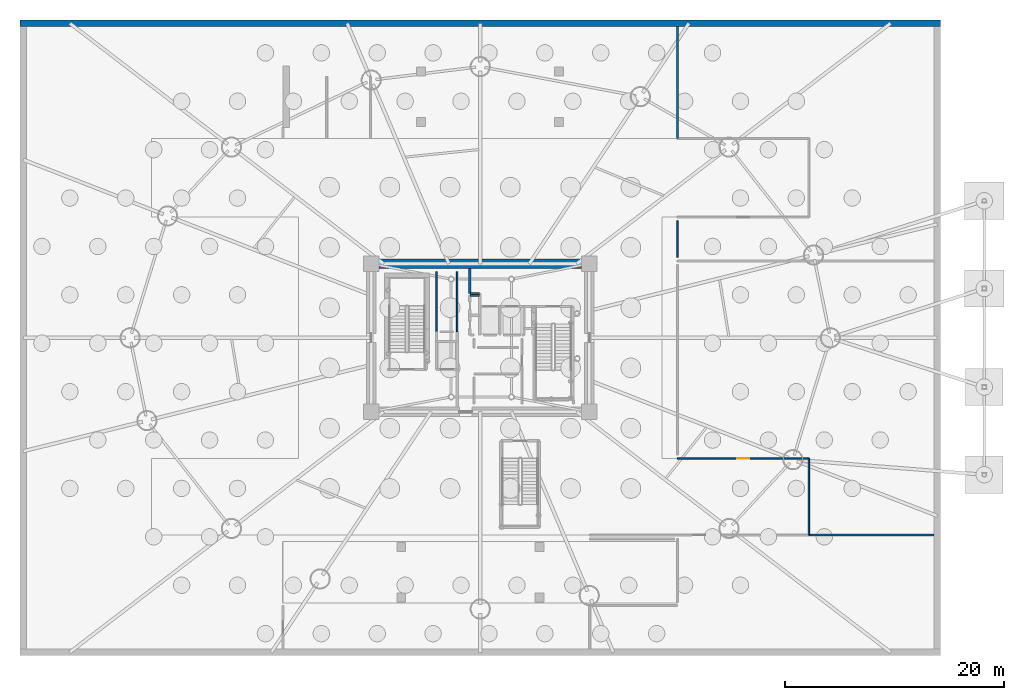
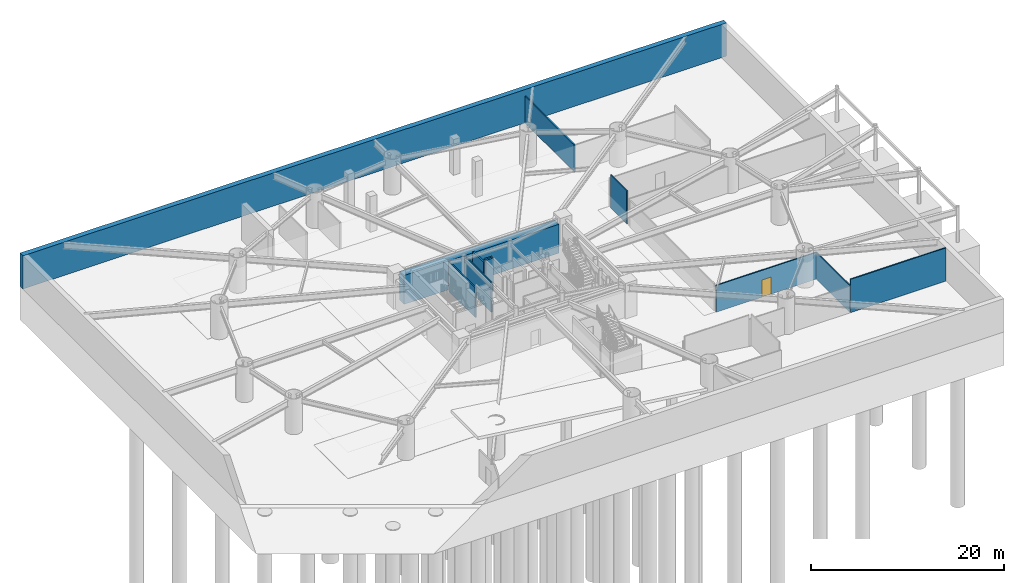
# One storey, part 11 of 18: 12 walls, 1 door, 1 opening.
"""IFC4 building model written with IfcOpenShell, lengths in metres."""

from ifc_helpers import new_model, si_unit, direction, frame, frame_2d, origin, origin_2d, place, context, subcontext, project, spatial, rectangle, extrude, source, transform, mapped, material, layer, layer_set, type_object, element, fill, save


model = new_model("IFC4")

# Units and contexts
model_context = context("Model", 3, precision=1e-05, world=origin(), true_north=direction((0.0, 1.0)))
body_context = subcontext(model_context, "Body", "Model", "MODEL_VIEW")
ifc_project = project(units=[si_unit("LENGTHUNIT", "METRE"), si_unit("AREAUNIT", "SQUARE_METRE"), si_unit("VOLUMEUNIT", "CUBIC_METRE"), si_unit("PLANEANGLEUNIT", "RADIAN"), si_unit("MASSUNIT", "GRAM", prefix="KILO")], contexts=[model_context])

# Site, building, storey
site_placement = place(None, origin())
site = spatial("IfcSite", under=ifc_project, at=site_placement, CompositionType="ELEMENT")
building_placement = place(site_placement, origin())
building = spatial("IfcBuilding", under=site, at=building_placement, Name="Linh Dai School and Residence Tower", CompositionType="ELEMENT")
storey_placement = place(building_placement, frame((0.0, 0.0, -9.0)))
storey = spatial("IfcBuildingStorey", under=building, at=storey_placement, Name="B02", CompositionType="ELEMENT", Elevation=-9.0)

# Wall, opening, door
ifc_material_1 = material(Name="Autoclaved Aerated Concrete Blockwork", Category="masonry")
ifc_layer_1 = layer(ifc_material_1, 0.135009765625)
ifc_layer_set_1 = layer_set([ifc_layer_1], Name="Autoclaved Aerated Concrete Blockwork")
wall_type_1 = type_object("IfcWallType", Name="IW-CORR-135-EI90", PredefinedType="PARTITIONING", material=ifc_layer_set_1)
wall_1_placement = place(storey_placement, frame((54.0, 16.0, 0.0), z_axis=(0.0, 0.0, 1.0), x_axis=(1.0, 0.0, 0.0)))
wall_1 = element("IfcWall", 1, at=wall_1_placement, inside=storey, type_object=wall_type_1, Name="B02 Interior Partition Wall 033", PredefinedType="PARTITIONING", context=body_context, shape_type="SweptSolid", body=[
    extrude(rectangle(XDim=12.0, YDim=0.135009765625, at=frame_2d((6.0, 0.0))), origin(), (0.0, 0.0, 1.0), 3.385009765625),
])
opening_placement = place(wall_1_placement, frame((5.449951171875, 0.0, 0.0)))
opening = element("IfcOpeningElement", 2, at=opening_placement, cuts=wall_1, Name="Opening D07", PredefinedType="OPENING", context=body_context, shape_type="SweptSolid", body=[
    extrude(rectangle(XDim=1.10009765625, YDim=2.14990234375, at=origin_2d()), frame((0.550048828125, 0.07763671875, 1.074951171875), z_axis=(0.0, -1.0, 0.0), x_axis=(1.0, 0.0, 0.0)), (0.0, 0.0, 1.0), 0.155029296875),
])
ifc_material_2 = material(Name="Fire-Rated Louvred Steel Plant Door", Category="steel")
door_type = type_object("IfcDoorType", Name="DR-PLT-1100x2150-FD60S", OperationType="NOTDEFINED", PredefinedType="DOOR", material=ifc_material_2)
shared_shape = source(origin(), body_context, "Body", "SweptSolid", [
    extrude(rectangle(XDim=1.10009765625, YDim=2.14990234375, at=origin_2d()), frame((0.550048828125, 0.02490234375, 1.074951171875), z_axis=(0.0, -1.0, 0.0), x_axis=(1.0, 0.0, 0.0)), (0.0, 0.0, 1.0), 0.050048828125),
])
door_placement = place(opening_placement, origin())
door = element("IfcDoor", 3, at=door_placement, inside=storey, type_object=door_type, Name="B02 Central Chiller and District Cooling Plant Room Door", OperationType="SINGLE_SWING_LEFT", OverallHeight=2.14990234375, OverallWidth=1.10009765625, PredefinedType="DOOR", context=body_context, shape_type="MappedRepresentation", body=[
    mapped(shared_shape, transform((0.0, 0.0, 0.0), x_axis=(1.0, 0.0, 0.0), y_axis=(0.0, 1.0, 0.0), z_axis=(0.0, 0.0, 1.0), scale=1.0)),
])
fill(opening, door)

# Walls
wall_2_placement = place(storey_placement, frame((66.0, 9.0, 0.0), z_axis=(0.0, 0.0, 1.0), x_axis=(0.0, 1.0, 0.0)))
element("IfcWall", 4, at=wall_2_placement, inside=storey, type_object=wall_type_1, Name="B02 Interior Partition Wall 038", PredefinedType="PARTITIONING", context=body_context, shape_type="SweptSolid", body=[
    extrude(rectangle(XDim=7.0, YDim=0.135009765625, at=frame_2d((3.5, 0.0))), origin(), (0.0, 0.0, 1.0), 3.385009765625),
])
wall_3_placement = place(storey_placement, frame((32.0, 33.0400390625, 0.0), z_axis=(0.0, 0.0, 1.0), x_axis=(0.0, -1.0, 0.0)))
element("IfcWall", 5, at=wall_3_placement, inside=storey, type_object=wall_type_1, Name="B02 Interior Partition Wall 047", PredefinedType="PARTITIONING", context=body_context, shape_type="SweptSolid", body=[
    extrude(rectangle(XDim=5.47998046875, YDim=0.135009765625, at=frame_2d((2.739990234375, 0.0))), origin(), (0.0, 0.0, 1.0), 3.735107421875),
])
wall_4_placement = place(storey_placement, frame((33.89990234375, 27.56005859375, 0.0), z_axis=(0.0, 0.0, 1.0), x_axis=(0.0, 1.0, 0.0)))
element("IfcWall", 6, at=wall_4_placement, inside=storey, type_object=wall_type_1, Name="B02 Interior Partition Wall 053", PredefinedType="PARTITIONING", context=body_context, shape_type="SweptSolid", body=[
    extrude(rectangle(XDim=5.47998046875, YDim=0.135009765625, at=frame_2d((2.739990234375, 0.0))), origin(), (0.0, 0.0, 1.0), 3.784912109375),
])
wall_5_placement = place(storey_placement, frame((54.0, 34.3349609375, 0.0), z_axis=(0.0, 0.0, 1.0), x_axis=(0.0, 1.0, 0.0)))
element("IfcWall", 7, at=wall_5_placement, inside=storey, type_object=wall_type_1, Name="B02 Interior Partition Wall 058", PredefinedType="PARTITIONING", context=body_context, shape_type="SweptSolid", body=[
    extrude(rectangle(XDim=3.337646484375, YDim=0.135009765625, at=frame_2d((1.6689453125, 0.0))), origin(), (0.0, 0.0, 1.0), 4.199951171875),
])
ifc_layer_2 = layer(ifc_material_1, 0.14990234375)
ifc_layer_set_2 = layer_set([ifc_layer_2], Name="Autoclaved Aerated Concrete Blockwork")
wall_type_2 = type_object("IfcWallType", Name="IW-SCH-150-EI60", PredefinedType="PARTITIONING", material=ifc_layer_set_2)
wall_6_placement = place(storey_placement, frame((54.0, 45.199951171875, 0.0), z_axis=(0.0, 0.0, 1.0), x_axis=(0.0, 1.0, 0.0)))
element("IfcWall", 8, at=wall_6_placement, inside=storey, type_object=wall_type_2, Name="B02 Interior Partition Wall 036", PredefinedType="PARTITIONING", context=body_context, shape_type="SweptSolid", body=[
    extrude(rectangle(XDim=10.199951171875, YDim=0.14990234375, at=frame_2d((5.10009765625, 0.0))), origin(), (0.0, 0.0, 1.0), 3.385009765625),
])
wall_7_placement = place(storey_placement, frame((66.010009765625, 9.0, 0.0), z_axis=(0.0, 0.0, 1.0), x_axis=(1.0, 0.0, 0.0)))
element("IfcWall", 9, at=wall_7_placement, inside=storey, type_object=wall_type_2, Name="B02 Interior Partition Wall 039", PredefinedType="PARTITIONING", context=body_context, shape_type="SweptSolid", body=[
    extrude(rectangle(XDim=11.389892578125, YDim=0.14990234375, at=frame_2d((5.69482421875, 0.0))), origin(), (0.0, 0.0, 1.0), 4.199951171875),
])
ifc_material_3 = material(Name="Concrete B45 (C35/45)", Category="concrete")
ifc_layer_3 = layer(ifc_material_3, 0.199951171875)
ifc_layer_set_3 = layer_set([ifc_layer_3], Name="Concrete B45 (C35/45)")
wall_type_3 = type_object("IfcWallType", Name="IW-SHAFT-200-EI120", PredefinedType="PARTITIONING", material=ifc_layer_set_3)
wall_8_placement = place(storey_placement, frame((35.050048828125, 30.85009765625, 0.0), z_axis=(0.0, 0.0, 1.0), x_axis=(1.0, 0.0, 0.0)))
element("IfcWall", 10, at=wall_8_placement, inside=storey, type_object=wall_type_3, Name="B02 Interior Partition Wall 014", PredefinedType="PARTITIONING", context=body_context, shape_type="SweptSolid", body=[
    extrude(rectangle(XDim=0.89990234375, YDim=0.199951171875, at=frame_2d((0.449951171875, 0.0))), origin(), (0.0, 0.0, 1.0), 4.199951171875),
])
wall_9_placement = place(storey_placement, frame((35.050048828125, 31.050048828125, 0.0), z_axis=(0.0, 0.0, 1.0), x_axis=(0.0, 1.0, 0.0)))
element("IfcWall", 11, at=wall_9_placement, inside=storey, type_object=wall_type_3, Name="B02 Interior Partition Wall 015", PredefinedType="PARTITIONING", context=body_context, shape_type="SweptSolid", body=[
    extrude(rectangle(XDim=2.25, YDim=0.199951171875, at=frame_2d((1.125, 0.0))), origin(), (0.0, 0.0, 1.0), 3.784912109375),
])
wall_10_placement = place(storey_placement, frame((35.050048828125, 31.050048828125, 0.0), z_axis=(0.0, 0.0, 1.0), x_axis=(1.0, 0.0, 0.0)))
element("IfcWall", 12, at=wall_10_placement, inside=storey, type_object=wall_type_3, Name="B02 Interior Partition Wall 016", PredefinedType="PARTITIONING", context=body_context, shape_type="SweptSolid", body=[
    extrude(rectangle(XDim=0.89990234375, YDim=0.199951171875, at=frame_2d((0.449951171875, 0.0))), origin(), (0.0, 0.0, 1.0), 4.199951171875),
])
ifc_material_4 = material(Name="Concrete B60 (C50/60)", Category="concrete")
ifc_layer_4 = layer(ifc_material_4, 0.89990234375)
ifc_layer_set_4 = layer_set([ifc_layer_4], Name="Concrete B60 (C50/60)")
wall_type_4 = type_object("IfcWallType", Name="WL-CORE900", PredefinedType="SHEAR", material=ifc_layer_set_4)
wall_11_placement = place(storey_placement, frame((26.75, 33.75, 0.0), z_axis=(0.0, 0.0, 1.0), x_axis=(1.0, 0.0, 0.0)))
element("IfcWall", 13, at=wall_11_placement, inside=storey, type_object=wall_type_4, Name="B02 Central Core Shear Wall N", PredefinedType="SHEAR", context=body_context, shape_type="SweptSolid", body=[
    extrude(rectangle(XDim=18.5, YDim=0.89990234375, at=frame_2d((9.25, 0.0))), origin(), (0.0, 0.0, 1.0), 3.64990234375),
])
ifc_layer_5 = layer(ifc_material_3, 0.60009765625)
ifc_layer_set_5 = layer_set([ifc_layer_5], Name="Concrete B45 (C35/45)")
wall_type_5 = type_object("IfcWallType", Name="WL-RET600", PredefinedType="SHEAR", material=ifc_layer_set_5)
wall_12_placement = place(storey_placement, frame((-6.0, 55.699951171875, 0.0), z_axis=(0.0, 0.0, 1.0), x_axis=(1.0, 0.0, 0.0)))
element("IfcWall", 14, at=wall_12_placement, inside=storey, type_object=wall_type_5, Name="B02 Basement Perimeter Retaining Wall N", PredefinedType="SHEAR", context=body_context, shape_type="SweptSolid", body=[
    extrude(rectangle(XDim=84.0, YDim=0.60009765625, at=frame_2d((42.0, 0.0))), origin(), (0.0, 0.0, 1.0), 4.199951171875),
])

save(model, "model.ifc")
